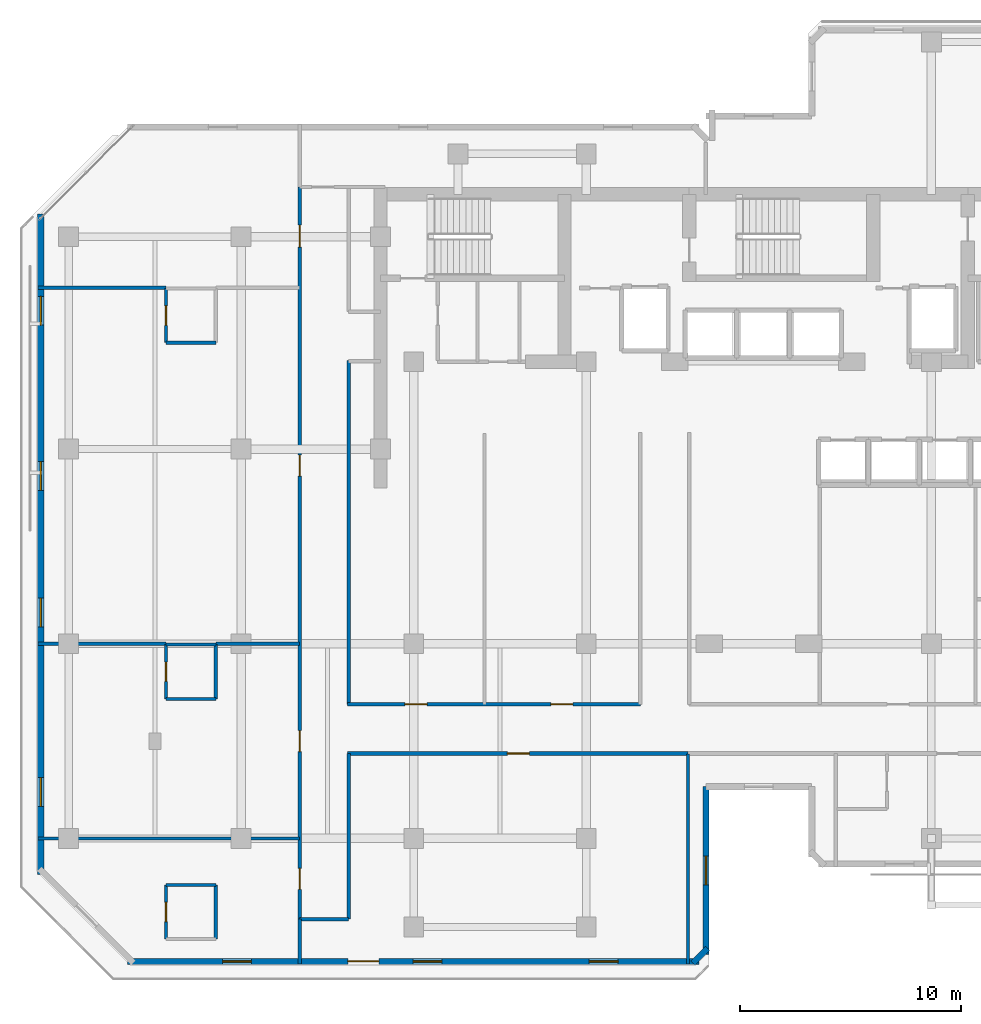
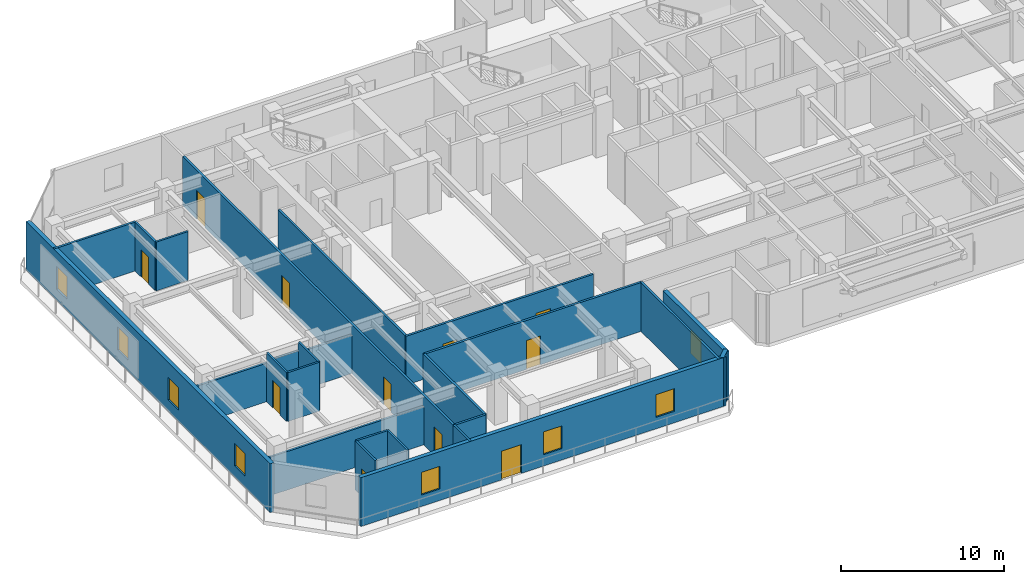
# One storey, part 4 of 10: 25 walls, 11 doors, 8 windows, 19 openings.
"""IFC4 building model written with IfcOpenShell, lengths in metres."""

from ifc_helpers import new_model, si_unit, direction, frame, frame_2d, origin, place, context, subcontext, project, spatial, rectangle, extrude, material, layer, layer_set, type_object, element, fill, save


model = new_model("IFC4")

# Units and contexts
model_context = context("Model", 3, precision=1e-05, world=origin(), true_north=direction((0.0, 1.0)))
body_context = subcontext(model_context, "Body", "Model", "MODEL_VIEW")
ifc_project = project(units=[si_unit("LENGTHUNIT", "METRE"), si_unit("AREAUNIT", "SQUARE_METRE"), si_unit("VOLUMEUNIT", "CUBIC_METRE"), si_unit("PLANEANGLEUNIT", "RADIAN"), si_unit("MASSUNIT", "GRAM", prefix="KILO")], contexts=[model_context])

# Site, building, storey
site_placement = place(None, origin())
site = spatial("IfcSite", under=ifc_project, at=site_placement, CompositionType="ELEMENT")
building_placement = place(site_placement, origin())
building = spatial("IfcBuilding", under=site, at=building_placement, Name="Kestravale Grand Hotel", CompositionType="ELEMENT")
storey_placement = place(building_placement, frame((0.0, 0.0, 189.0)))
storey = spatial("IfcBuildingStorey", under=building, at=storey_placement, Name="L47", CompositionType="ELEMENT", Elevation=189.0)

# Wall, openings, door, windows
ifc_material_1 = material(Name="Precast concrete f'c 45 MPa", Category="concrete")
ifc_layer_1 = layer(ifc_material_1, 0.280029296875)
ifc_layer_set_1 = layer_set([ifc_layer_1], Name="EW-PREC-280")
wall_type_1 = type_object("IfcWallType", Name="EW-PREC-280", PredefinedType="SOLIDWALL", material=ifc_layer_set_1)
wall_1_placement = place(storey_placement, frame((10.4599609375, 5.639892578125, 0.0), z_axis=(0.0, 0.0, 1.0), x_axis=(1.0, 0.0, 0.0)))
wall_1 = element("IfcWall", 1, at=wall_1_placement, inside=storey, type_object=wall_type_1, Name="L47 fluted precast facade wall 1", PredefinedType="SOLIDWALL", context=body_context, shape_type="SweptSolid", body=[
    extrude(rectangle(XDim=25.830078125, YDim=0.280029296875, at=frame_2d((12.9150390625, 0.0))), origin(), (0.0, 0.0, 1.0), 3.64990234375),
])
opening_1_placement = place(wall_1_placement, frame((9.965087890625, 0.0, 0.0)))
opening_1 = element("IfcOpeningElement", 2, at=opening_1_placement, cuts=wall_1, Name="Opening D-TERR-1400", PredefinedType="OPENING", context=body_context, shape_type="SweptSolid", body=[
    extrude(rectangle(XDim=1.39990234375, YDim=2.14990234375, at=frame_2d((0.699951171875, 1.074951171875))), frame((0.0, 0.14990234375, 0.0), z_axis=(0.0, -1.0, 0.0), x_axis=(1.0, 0.0, 0.0)), (0.0, 0.0, 1.0), 0.300048828125),
])
opening_2_placement = place(wall_1_placement, frame((4.304931640625, 0.0, 0.85009765625)))
opening_2 = element("IfcOpeningElement", 3, at=opening_2_placement, cuts=wall_1, Name="Opening W-GUEST-1300", PredefinedType="OPENING", context=body_context, shape_type="SweptSolid", body=[
    extrude(rectangle(XDim=1.300048828125, YDim=1.699951171875, at=frame_2d((0.64990234375, 0.85009765625))), frame((0.0, 0.14990234375, 0.0), z_axis=(0.0, -1.0, 0.0), x_axis=(1.0, 0.0, 0.0)), (0.0, 0.0, 1.0), 0.300048828125),
])
opening_3_placement = place(wall_1_placement, frame((12.9150390625, 0.0, 0.85009765625)))
opening_3 = element("IfcOpeningElement", 4, at=opening_3_placement, cuts=wall_1, Name="Opening W-GUEST-1300", PredefinedType="OPENING", context=body_context, shape_type="SweptSolid", body=[
    extrude(rectangle(XDim=1.300048828125, YDim=1.699951171875, at=frame_2d((0.64990234375, 0.85009765625))), frame((0.0, 0.14990234375, 0.0), z_axis=(0.0, -1.0, 0.0), x_axis=(1.0, 0.0, 0.0)), (0.0, 0.0, 1.0), 0.300048828125),
])
opening_4_placement = place(wall_1_placement, frame((20.875, 0.0, 0.85009765625)))
opening_4 = element("IfcOpeningElement", 5, at=opening_4_placement, cuts=wall_1, Name="Opening W-GUEST-1300", PredefinedType="OPENING", context=body_context, shape_type="SweptSolid", body=[
    extrude(rectangle(XDim=1.300048828125, YDim=1.699951171875, at=frame_2d((0.64990234375, 0.85009765625))), frame((0.0, 0.14990234375, 0.0), z_axis=(0.0, -1.0, 0.0), x_axis=(1.0, 0.0, 0.0)), (0.0, 0.0, 1.0), 0.300048828125),
])
ifc_material_2 = material(Name="Insulated glazed champagne-bronze aluminium door", Category="aluminium")
door_type_1 = type_object("IfcDoorType", Name="D-TERR-1400", OperationType="NOTDEFINED", PredefinedType="DOOR", material=ifc_material_2)
door_1_placement = place(opening_1_placement, origin())
door_1 = element("IfcDoor", 6, at=door_1_placement, inside=storey, type_object=door_type_1, Name="L47 outdoor garden terrace door", OperationType="DOUBLE_DOOR_SINGLE_SWING", OverallHeight=2.14990234375, OverallWidth=1.39990234375, PredefinedType="DOOR", context=body_context, shape_type="SweptSolid", body=[
    extrude(rectangle(XDim=1.39990234375, YDim=2.14990234375, at=frame_2d((0.699951171875, 1.074951171875))), frame((0.0, 0.02490234375, 0.0), z_axis=(0.0, -1.0, 0.0), x_axis=(1.0, 0.0, 0.0)), (0.0, 0.0, 1.0), 0.050048828125),
])
fill(opening_1, door_1)
ifc_material_3 = material(Name="Insulated low-E double glazing in aluminium frame", Category="aluminium")
window_type = type_object("IfcWindowType", Name="W-GUEST-1300", PartitioningType="SINGLE_PANEL", PredefinedType="WINDOW", material=ifc_material_3)
window_1_placement = place(opening_2_placement, origin())
window_1 = element("IfcWindow", 7, at=window_1_placement, inside=storey, type_object=window_type, Name="L47 exterior window 1.1", OverallHeight=1.699951171875, OverallWidth=1.300048828125, PartitioningType="SINGLE_PANEL", PredefinedType="WINDOW", context=body_context, shape_type="SweptSolid", body=[
    extrude(rectangle(XDim=1.300048828125, YDim=1.699951171875, at=frame_2d((0.64990234375, 0.85009765625))), frame((0.0, 0.030029296875, 0.0), z_axis=(0.0, -1.0, 0.0), x_axis=(1.0, 0.0, 0.0)), (0.0, 0.0, 1.0), 0.06005859375),
])
fill(opening_2, window_1)
window_2_placement = place(opening_3_placement, origin())
window_2 = element("IfcWindow", 8, at=window_2_placement, inside=storey, type_object=window_type, Name="L47 exterior window 1.2", OverallHeight=1.699951171875, OverallWidth=1.300048828125, PartitioningType="SINGLE_PANEL", PredefinedType="WINDOW", context=body_context, shape_type="SweptSolid", body=[
    extrude(rectangle(XDim=1.300048828125, YDim=1.699951171875, at=frame_2d((0.64990234375, 0.85009765625))), frame((0.0, 0.030029296875, 0.0), z_axis=(0.0, -1.0, 0.0), x_axis=(1.0, 0.0, 0.0)), (0.0, 0.0, 1.0), 0.06005859375),
])
fill(opening_3, window_2)
window_3_placement = place(opening_4_placement, origin())
window_3 = element("IfcWindow", 9, at=window_3_placement, inside=storey, type_object=window_type, Name="L47 exterior window 1.3", OverallHeight=1.699951171875, OverallWidth=1.300048828125, PartitioningType="SINGLE_PANEL", PredefinedType="WINDOW", context=body_context, shape_type="SweptSolid", body=[
    extrude(rectangle(XDim=1.300048828125, YDim=1.699951171875, at=frame_2d((0.64990234375, 0.85009765625))), frame((0.0, 0.030029296875, 0.0), z_axis=(0.0, -1.0, 0.0), x_axis=(1.0, 0.0, 0.0)), (0.0, 0.0, 1.0), 0.06005859375),
])
fill(opening_4, window_3)

# Wall
wall_2_placement = place(storey_placement, frame((36.022705078125, 5.57080078125, 0.0), z_axis=(0.0, 0.0, 1.0), x_axis=(0.707106781187, 0.707106781187, 0.0)))
element("IfcWall", 10, at=wall_2_placement, inside=storey, type_object=wall_type_1, Name="L47 fluted precast facade wall 2", PredefinedType="SOLIDWALL", context=body_context, shape_type="SweptSolid", body=[
    extrude(rectangle(XDim=0.928466796875, YDim=0.280029296875, at=frame_2d((0.46435546875, 0.0))), origin(), (0.0, 0.0, 1.0), 3.64990234375),
])

# Wall, opening, window
wall_3_placement = place(storey_placement, frame((36.610107421875, 5.9599609375, 0.0), z_axis=(0.0, 0.0, 1.0), x_axis=(0.0, 1.0, 0.0)))
wall_3 = element("IfcWall", 11, at=wall_3_placement, inside=storey, type_object=wall_type_1, Name="L47 fluted precast facade wall 3", PredefinedType="SOLIDWALL", context=body_context, shape_type="SweptSolid", body=[
    extrude(rectangle(XDim=7.580078125, YDim=0.280029296875, at=frame_2d((3.7900390625, 0.0))), origin(), (0.0, 0.0, 1.0), 3.64990234375),
])
opening_5_placement = place(wall_3_placement, frame((3.139892578125, 0.0, 0.85009765625)))
opening_5 = element("IfcOpeningElement", 12, at=opening_5_placement, cuts=wall_3, Name="Opening W-GUEST-1300", PredefinedType="OPENING", context=body_context, shape_type="SweptSolid", body=[
    extrude(rectangle(XDim=1.300048828125, YDim=1.699951171875, at=frame_2d((0.64990234375, 0.85009765625))), frame((0.0, 0.14990234375, 0.0), z_axis=(0.0, -1.0, 0.0), x_axis=(1.0, 0.0, 0.0)), (0.0, 0.0, 1.0), 0.300048828125),
])
window_4_placement = place(opening_5_placement, origin())
window_4 = element("IfcWindow", 13, at=window_4_placement, inside=storey, type_object=window_type, Name="L47 exterior window 3.1", OverallHeight=1.699951171875, OverallWidth=1.300048828125, PartitioningType="SINGLE_PANEL", PredefinedType="WINDOW", context=body_context, shape_type="SweptSolid", body=[
    extrude(rectangle(XDim=1.300048828125, YDim=1.699951171875, at=frame_2d((0.64990234375, 0.85009765625))), frame((0.0, 0.030029296875, 0.0), z_axis=(0.0, -1.0, 0.0), x_axis=(1.0, 0.0, 0.0)), (0.0, 0.0, 1.0), 0.06005859375),
])
fill(opening_5, window_4)

# Wall, openings, windows
wall_4_placement = place(storey_placement, frame((6.5400390625, 39.43994140625, 0.0), z_axis=(0.0, 0.0, 1.0), x_axis=(0.0, -1.0, 0.0)))
wall_4 = element("IfcWall", 14, at=wall_4_placement, inside=storey, type_object=wall_type_1, Name="L47 fluted precast facade wall 19", PredefinedType="SOLIDWALL", context=body_context, shape_type="SweptSolid", body=[
    extrude(rectangle(XDim=29.8798828125, YDim=0.280029296875, at=frame_2d((14.93994140625, 0.0))), origin(), (0.0, 0.0, 1.0), 3.64990234375),
])
opening_6_placement = place(wall_4_placement, frame((3.735107421875, 0.0, 0.85009765625)))
opening_6 = element("IfcOpeningElement", 15, at=opening_6_placement, cuts=wall_4, Name="Opening W-GUEST-1300", PredefinedType="OPENING", context=body_context, shape_type="SweptSolid", body=[
    extrude(rectangle(XDim=1.300048828125, YDim=1.699951171875, at=frame_2d((0.64990234375, 0.85009765625))), frame((0.0, 0.14990234375, 0.0), z_axis=(0.0, -1.0, 0.0), x_axis=(1.0, 0.0, 0.0)), (0.0, 0.0, 1.0), 0.300048828125),
])
opening_7_placement = place(wall_4_placement, frame((11.205078125, 0.0, 0.85009765625)))
opening_7 = element("IfcOpeningElement", 16, at=opening_7_placement, cuts=wall_4, Name="Opening W-GUEST-1300", PredefinedType="OPENING", context=body_context, shape_type="SweptSolid", body=[
    extrude(rectangle(XDim=1.300048828125, YDim=1.699951171875, at=frame_2d((0.64990234375, 0.85009765625))), frame((0.0, 0.14990234375, 0.0), z_axis=(0.0, -1.0, 0.0), x_axis=(1.0, 0.0, 0.0)), (0.0, 0.0, 1.0), 0.300048828125),
])
opening_8_placement = place(wall_4_placement, frame((17.375, 0.0, 0.85009765625)))
opening_8 = element("IfcOpeningElement", 17, at=opening_8_placement, cuts=wall_4, Name="Opening W-GUEST-1300", PredefinedType="OPENING", context=body_context, shape_type="SweptSolid", body=[
    extrude(rectangle(XDim=1.300048828125, YDim=1.699951171875, at=frame_2d((0.64990234375, 0.85009765625))), frame((0.0, 0.14990234375, 0.0), z_axis=(0.0, -1.0, 0.0), x_axis=(1.0, 0.0, 0.0)), (0.0, 0.0, 1.0), 0.300048828125),
])
opening_9_placement = place(wall_4_placement, frame((25.4951171875, 0.0, 0.85009765625)))
opening_9 = element("IfcOpeningElement", 18, at=opening_9_placement, cuts=wall_4, Name="Opening W-GUEST-1300", PredefinedType="OPENING", context=body_context, shape_type="SweptSolid", body=[
    extrude(rectangle(XDim=1.300048828125, YDim=1.699951171875, at=frame_2d((0.64990234375, 0.85009765625))), frame((0.0, 0.14990234375, 0.0), z_axis=(0.0, -1.0, 0.0), x_axis=(1.0, 0.0, 0.0)), (0.0, 0.0, 1.0), 0.300048828125),
])
window_5_placement = place(opening_6_placement, origin())
window_5 = element("IfcWindow", 19, at=window_5_placement, inside=storey, type_object=window_type, Name="L47 exterior window 19.1", OverallHeight=1.699951171875, OverallWidth=1.300048828125, PartitioningType="SINGLE_PANEL", PredefinedType="WINDOW", context=body_context, shape_type="SweptSolid", body=[
    extrude(rectangle(XDim=1.300048828125, YDim=1.699951171875, at=frame_2d((0.64990234375, 0.85009765625))), frame((0.0, 0.030029296875, 0.0), z_axis=(0.0, -1.0, 0.0), x_axis=(1.0, 0.0, 0.0)), (0.0, 0.0, 1.0), 0.06005859375),
])
fill(opening_6, window_5)
window_6_placement = place(opening_7_placement, origin())
window_6 = element("IfcWindow", 20, at=window_6_placement, inside=storey, type_object=window_type, Name="L47 exterior window 19.2", OverallHeight=1.699951171875, OverallWidth=1.300048828125, PartitioningType="SINGLE_PANEL", PredefinedType="WINDOW", context=body_context, shape_type="SweptSolid", body=[
    extrude(rectangle(XDim=1.300048828125, YDim=1.699951171875, at=frame_2d((0.64990234375, 0.85009765625))), frame((0.0, 0.030029296875, 0.0), z_axis=(0.0, -1.0, 0.0), x_axis=(1.0, 0.0, 0.0)), (0.0, 0.0, 1.0), 0.06005859375),
])
fill(opening_7, window_6)
window_7_placement = place(opening_8_placement, origin())
window_7 = element("IfcWindow", 21, at=window_7_placement, inside=storey, type_object=window_type, Name="L47 exterior window 19.3", OverallHeight=1.699951171875, OverallWidth=1.300048828125, PartitioningType="SINGLE_PANEL", PredefinedType="WINDOW", context=body_context, shape_type="SweptSolid", body=[
    extrude(rectangle(XDim=1.300048828125, YDim=1.699951171875, at=frame_2d((0.64990234375, 0.85009765625))), frame((0.0, 0.030029296875, 0.0), z_axis=(0.0, -1.0, 0.0), x_axis=(1.0, 0.0, 0.0)), (0.0, 0.0, 1.0), 0.06005859375),
])
fill(opening_8, window_7)
window_8_placement = place(opening_9_placement, origin())
window_8 = element("IfcWindow", 22, at=window_8_placement, inside=storey, type_object=window_type, Name="L47 exterior window 19.4", OverallHeight=1.699951171875, OverallWidth=1.300048828125, PartitioningType="SINGLE_PANEL", PredefinedType="WINDOW", context=body_context, shape_type="SweptSolid", body=[
    extrude(rectangle(XDim=1.300048828125, YDim=1.699951171875, at=frame_2d((0.64990234375, 0.85009765625))), frame((0.0, 0.030029296875, 0.0), z_axis=(0.0, -1.0, 0.0), x_axis=(1.0, 0.0, 0.0)), (0.0, 0.0, 1.0), 0.06005859375),
])
fill(opening_9, window_8)

# Wall, openings, doors
ifc_material_4 = material(Name="Acoustic fire-rated gypsum board partition", Category="other")
ifc_layer_2 = layer(ifc_material_4, 0.159912109375)
ifc_layer_set_2 = layer_set([ifc_layer_2], Name="IW-CORR-160")
wall_type_2 = type_object("IfcWallType", Name="IW-CORR-160", PredefinedType="PARTITIONING", material=ifc_layer_set_2)
wall_5_placement = place(storey_placement, frame((20.39990234375, 17.260009765625, 0.0), z_axis=(0.0, 0.0, 1.0), x_axis=(1.0, 0.0, 0.0)))
wall_5 = element("IfcWall", 23, at=wall_5_placement, inside=storey, type_object=wall_type_2, Name="W-L47-CW-N", PredefinedType="PARTITIONING", context=body_context, shape_type="SweptSolid", body=[
    extrude(rectangle(XDim=13.25, YDim=0.159912109375, at=frame_2d((6.625, 0.0))), origin(), (0.0, 0.0, 1.0), 3.64990234375),
])
opening_10_placement = place(wall_5_placement, frame((2.60009765625, 0.0, 0.0)))
opening_10 = element("IfcOpeningElement", 24, at=opening_10_placement, cuts=wall_5, Name="Opening D-GUEST-1000", PredefinedType="OPENING", context=body_context, shape_type="SweptSolid", body=[
    extrude(rectangle(XDim=1.0, YDim=2.14990234375, at=frame_2d((0.5, 1.074951171875))), frame((0.0, 0.08984375, 0.0), z_axis=(0.0, -1.0, 0.0), x_axis=(1.0, 0.0, 0.0)), (0.0, 0.0, 1.0), 0.179931640625),
])
opening_11_placement = place(wall_5_placement, frame((9.199951171875, 0.0, 0.0)))
opening_11 = element("IfcOpeningElement", 25, at=opening_11_placement, cuts=wall_5, Name="Opening D-GUEST-1000", PredefinedType="OPENING", context=body_context, shape_type="SweptSolid", body=[
    extrude(rectangle(XDim=1.0, YDim=2.14990234375, at=frame_2d((0.5, 1.074951171875))), frame((0.0, 0.08984375, 0.0), z_axis=(0.0, -1.0, 0.0), x_axis=(1.0, 0.0, 0.0)), (0.0, 0.0, 1.0), 0.179931640625),
])
ifc_material_5 = material(Name="Accessible walnut veneer hotel entrance fire door", Category="wood")
door_type_2 = type_object("IfcDoorType", Name="D-GUEST-1000", OperationType="NOTDEFINED", PredefinedType="DOOR", material=ifc_material_5)
door_2_placement = place(opening_10_placement, origin())
door_2 = element("IfcDoor", 26, at=door_2_placement, inside=storey, type_object=door_type_2, Name="D-L47-RECL-W1", OperationType="SINGLE_SWING_LEFT", OverallHeight=2.14990234375, OverallWidth=1.0, PredefinedType="DOOR", context=body_context, shape_type="SweptSolid", body=[
    extrude(rectangle(XDim=1.0, YDim=2.14990234375, at=frame_2d((0.5, 1.074951171875))), frame((0.0, 0.02490234375, 0.0), z_axis=(0.0, -1.0, 0.0), x_axis=(1.0, 0.0, 0.0)), (0.0, 0.0, 1.0), 0.050048828125),
])
fill(opening_10, door_2)
door_3_placement = place(opening_11_placement, origin())
door_3 = element("IfcDoor", 27, at=door_3_placement, inside=storey, type_object=door_type_2, Name="D-L47-RECL-W2", OperationType="SINGLE_SWING_RIGHT", OverallHeight=2.14990234375, OverallWidth=1.0, PredefinedType="DOOR", context=body_context, shape_type="SweptSolid", body=[
    extrude(rectangle(XDim=1.0, YDim=2.14990234375, at=frame_2d((0.5, 1.074951171875))), frame((0.0, 0.02490234375, 0.0), z_axis=(0.0, -1.0, 0.0), x_axis=(1.0, 0.0, 0.0)), (0.0, 0.0, 1.0), 0.050048828125),
])
fill(opening_11, door_3)

# Wall, opening, door
wall_6_placement = place(storey_placement, frame((20.39990234375, 15.0400390625, 0.0), z_axis=(0.0, 0.0, 1.0), x_axis=(1.0, 0.0, 0.0)))
wall_6 = element("IfcWall", 28, at=wall_6_placement, inside=storey, type_object=wall_type_2, Name="W-L47-CW-S", PredefinedType="PARTITIONING", context=body_context, shape_type="SweptSolid", body=[
    extrude(rectangle(XDim=15.400146484375, YDim=0.159912109375, at=frame_2d((7.7001953125, 0.0))), origin(), (0.0, 0.0, 1.0), 3.64990234375),
])
opening_12_placement = place(wall_6_placement, frame((7.22998046875, 0.0, 0.0)))
opening_12 = element("IfcOpeningElement", 29, at=opening_12_placement, cuts=wall_6, Name="Opening D-GUEST-1000", PredefinedType="OPENING", context=body_context, shape_type="SweptSolid", body=[
    extrude(rectangle(XDim=1.0, YDim=2.14990234375, at=frame_2d((0.5, 1.074951171875))), frame((0.0, 0.08984375, 0.0), z_axis=(0.0, -1.0, 0.0), x_axis=(1.0, 0.0, 0.0)), (0.0, 0.0, 1.0), 0.179931640625),
])
door_4_placement = place(opening_12_placement, origin())
door_4 = element("IfcDoor", 30, at=door_4_placement, inside=storey, type_object=door_type_2, Name="D-L47-AMW", OperationType="SINGLE_SWING_LEFT", OverallHeight=2.14990234375, OverallWidth=1.0, PredefinedType="DOOR", context=body_context, shape_type="SweptSolid", body=[
    extrude(rectangle(XDim=1.0, YDim=2.14990234375, at=frame_2d((0.5, 1.074951171875))), frame((0.0, 0.02490234375, 0.0), z_axis=(0.0, -1.0, 0.0), x_axis=(1.0, 0.0, 0.0)), (0.0, 0.0, 1.0), 0.050048828125),
])
fill(opening_12, door_4)

# Wall, openings, doors
wall_7_placement = place(storey_placement, frame((18.239990234375, 7.550048828125, 0.0), z_axis=(0.0, 0.0, 1.0), x_axis=(0.0, 1.0, 0.0)))
wall_7 = element("IfcWall", 31, at=wall_7_placement, inside=storey, type_object=wall_type_2, Name="W-L47-SW-W", PredefinedType="PARTITIONING", context=body_context, shape_type="SweptSolid", body=[
    extrude(rectangle(XDim=33.099853515625, YDim=0.159912109375, at=frame_2d((16.5498046875, 0.0))), origin(), (0.0, 0.0, 1.0), 3.64990234375),
])
opening_13_placement = place(wall_7_placement, frame((1.35009765625, 0.0, 0.0)))
opening_13 = element("IfcOpeningElement", 32, at=opening_13_placement, cuts=wall_7, Name="Opening D-GUEST-950", PredefinedType="OPENING", context=body_context, shape_type="SweptSolid", body=[
    extrude(rectangle(XDim=0.949951171875, YDim=2.10009765625, at=frame_2d((0.47509765625, 1.050048828125))), frame((0.0, 0.08984375, 0.0), z_axis=(0.0, -1.0, 0.0), x_axis=(1.0, 0.0, 0.0)), (0.0, 0.0, 1.0), 0.179931640625),
])
opening_14_placement = place(wall_7_placement, frame((7.574951171875, 0.0, 0.0)))
opening_14 = element("IfcOpeningElement", 33, at=opening_14_placement, cuts=wall_7, Name="Opening D-GUEST-950", PredefinedType="OPENING", context=body_context, shape_type="SweptSolid", body=[
    extrude(rectangle(XDim=0.949951171875, YDim=2.10009765625, at=frame_2d((0.47509765625, 1.050048828125))), frame((0.0, 0.08984375, 0.0), z_axis=(0.0, -1.0, 0.0), x_axis=(1.0, 0.0, 0.0)), (0.0, 0.0, 1.0), 0.179931640625),
])
opening_15_placement = place(wall_7_placement, frame((20.02490234375, 0.0, 0.0)))
opening_15 = element("IfcOpeningElement", 34, at=opening_15_placement, cuts=wall_7, Name="Opening D-GUEST-950", PredefinedType="OPENING", context=body_context, shape_type="SweptSolid", body=[
    extrude(rectangle(XDim=0.949951171875, YDim=2.10009765625, at=frame_2d((0.47509765625, 1.050048828125))), frame((0.0, 0.08984375, 0.0), z_axis=(0.0, -1.0, 0.0), x_axis=(1.0, 0.0, 0.0)), (0.0, 0.0, 1.0), 0.179931640625),
])
opening_16_placement = place(wall_7_placement, frame((30.3798828125, 0.0, 0.0)))
opening_16 = element("IfcOpeningElement", 35, at=opening_16_placement, cuts=wall_7, Name="Opening D-GUEST-1000", PredefinedType="OPENING", context=body_context, shape_type="SweptSolid", body=[
    extrude(rectangle(XDim=1.0, YDim=2.14990234375, at=frame_2d((0.5, 1.074951171875))), frame((0.0, 0.08984375, 0.0), z_axis=(0.0, -1.0, 0.0), x_axis=(1.0, 0.0, 0.0)), (0.0, 0.0, 1.0), 0.179931640625),
])
door_5_placement = place(opening_16_placement, origin())
door_5 = element("IfcDoor", 36, at=door_5_placement, inside=storey, type_object=door_type_2, Name="D-L47-AMWW", OperationType="SINGLE_SWING_LEFT", OverallHeight=2.14990234375, OverallWidth=1.0, PredefinedType="DOOR", context=body_context, shape_type="SweptSolid", body=[
    extrude(rectangle(XDim=1.0, YDim=2.14990234375, at=frame_2d((0.5, 1.074951171875))), frame((0.0, 0.02490234375, 0.0), z_axis=(0.0, -1.0, 0.0), x_axis=(1.0, 0.0, 0.0)), (0.0, 0.0, 1.0), 0.050048828125),
])
fill(opening_16, door_5)
ifc_material_6 = material(Name="Walnut veneer hotel guestroom entrance fire door", Category="wood")
door_type_3 = type_object("IfcDoorType", Name="D-GUEST-950", OperationType="NOTDEFINED", PredefinedType="DOOR", material=ifc_material_6)
door_6_placement = place(opening_13_placement, origin())
door_6 = element("IfcDoor", 37, at=door_6_placement, inside=storey, type_object=door_type_3, Name="D-L47-U02-ENT", OperationType="SINGLE_SWING_RIGHT", OverallHeight=2.10009765625, OverallWidth=0.949951171875, PredefinedType="DOOR", context=body_context, shape_type="SweptSolid", body=[
    extrude(rectangle(XDim=0.949951171875, YDim=2.10009765625, at=frame_2d((0.47509765625, 1.050048828125))), frame((0.0, 0.02490234375, 0.0), z_axis=(0.0, -1.0, 0.0), x_axis=(1.0, 0.0, 0.0)), (0.0, 0.0, 1.0), 0.050048828125),
])
fill(opening_13, door_6)
door_7_placement = place(opening_14_placement, origin())
door_7 = element("IfcDoor", 38, at=door_7_placement, inside=storey, type_object=door_type_3, Name="D-L47-U03-ENT", OperationType="SINGLE_SWING_RIGHT", OverallHeight=2.10009765625, OverallWidth=0.949951171875, PredefinedType="DOOR", context=body_context, shape_type="SweptSolid", body=[
    extrude(rectangle(XDim=0.949951171875, YDim=2.10009765625, at=frame_2d((0.47509765625, 1.050048828125))), frame((0.0, 0.02490234375, 0.0), z_axis=(0.0, -1.0, 0.0), x_axis=(1.0, 0.0, 0.0)), (0.0, 0.0, 1.0), 0.050048828125),
])
fill(opening_14, door_7)
door_8_placement = place(opening_15_placement, origin())
door_8 = element("IfcDoor", 39, at=door_8_placement, inside=storey, type_object=door_type_3, Name="D-L47-U04-ENT", OperationType="SINGLE_SWING_RIGHT", OverallHeight=2.10009765625, OverallWidth=0.949951171875, PredefinedType="DOOR", context=body_context, shape_type="SweptSolid", body=[
    extrude(rectangle(XDim=0.949951171875, YDim=2.10009765625, at=frame_2d((0.47509765625, 1.050048828125))), frame((0.0, 0.02490234375, 0.0), z_axis=(0.0, -1.0, 0.0), x_axis=(1.0, 0.0, 0.0)), (0.0, 0.0, 1.0), 0.050048828125),
])
fill(opening_15, door_8)

# Wall
wall_8_placement = place(storey_placement, frame((20.4599609375, 7.550048828125, 0.0), z_axis=(0.0, 0.0, 1.0), x_axis=(0.0, 1.0, 0.0)))
element("IfcWall", 40, at=wall_8_placement, inside=storey, type_object=wall_type_2, Name="W-L47-SW-E", PredefinedType="PARTITIONING", context=body_context, shape_type="SweptSolid", body=[
    extrude(rectangle(XDim=7.489990234375, YDim=0.159912109375, at=frame_2d((3.7451171875, 0.0))), origin(), (0.0, 0.0, 1.0), 3.64990234375),
])

# Wall, opening, door
ifc_material_7 = material(Name="Moisture-resistant tile-backer plumbing chase wall", Category="other")
ifc_layer_3 = layer(ifc_material_7, 0.139892578125)
ifc_layer_set_3 = layer_set([ifc_layer_3], Name="IW-PLB-140")
wall_type_3 = type_object("IfcWallType", Name="IW-PLB-140", PredefinedType="PLUMBINGWALL", material=ifc_layer_set_3)
wall_9_placement = place(storey_placement, frame((12.199951171875, 6.64990234375, 0.0), z_axis=(0.0, 0.0, 1.0), x_axis=(0.0, 1.0, 0.0)))
wall_9 = element("IfcWall", 41, at=wall_9_placement, inside=storey, type_object=wall_type_3, Name="W-L47-U02-BW", PredefinedType="PLUMBINGWALL", context=body_context, shape_type="SweptSolid", body=[
    extrude(rectangle(XDim=2.4501953125, YDim=0.139892578125, at=frame_2d((1.22509765625, 0.0))), origin(), (0.0, 0.0, 1.0), 3.64990234375),
])
opening_17_placement = place(wall_9_placement, frame((0.784912109375, 0.0, 0.0)))
opening_17 = element("IfcOpeningElement", 42, at=opening_17_placement, cuts=wall_9, Name="Opening D-BATH-880", PredefinedType="OPENING", context=body_context, shape_type="SweptSolid", body=[
    extrude(rectangle(XDim=0.8798828125, YDim=2.050048828125, at=frame_2d((0.43994140625, 1.02490234375))), frame((0.0, 0.079833984375, 0.0), z_axis=(0.0, -1.0, 0.0), x_axis=(1.0, 0.0, 0.0)), (0.0, 0.0, 1.0), 0.159912109375),
])
ifc_material_8 = material(Name="Moisture-sealed walnut en-suite bathroom door", Category="wood")
door_type_4 = type_object("IfcDoorType", Name="D-BATH-880", OperationType="NOTDEFINED", PredefinedType="DOOR", material=ifc_material_8)
door_9_placement = place(opening_17_placement, origin())
door_9 = element("IfcDoor", 43, at=door_9_placement, inside=storey, type_object=door_type_4, Name="D-L47-U02-BATH", OperationType="SINGLE_SWING_LEFT", OverallHeight=2.050048828125, OverallWidth=0.8798828125, PredefinedType="DOOR", context=body_context, shape_type="SweptSolid", body=[
    extrude(rectangle(XDim=0.8798828125, YDim=2.050048828125, at=frame_2d((0.43994140625, 1.02490234375))), frame((0.0, 0.02490234375, 0.0), z_axis=(0.0, -1.0, 0.0), x_axis=(1.0, 0.0, 0.0)), (0.0, 0.0, 1.0), 0.050048828125),
])
fill(opening_17, door_9)

# Walls
wall_10_placement = place(storey_placement, frame((14.449951171875, 6.64990234375, 0.0), z_axis=(0.0, 0.0, 1.0), x_axis=(0.0, 1.0, 0.0)))
element("IfcWall", 44, at=wall_10_placement, inside=storey, type_object=wall_type_3, Name="W-L47-U02-BE", PredefinedType="PLUMBINGWALL", context=body_context, shape_type="SweptSolid", body=[
    extrude(rectangle(XDim=2.4501953125, YDim=0.139892578125, at=frame_2d((1.22509765625, 0.0))), origin(), (0.0, 0.0, 1.0), 3.64990234375),
])
wall_11_placement = place(storey_placement, frame((12.199951171875, 9.10009765625, 0.0), z_axis=(0.0, 0.0, 1.0), x_axis=(1.0, 0.0, 0.0)))
element("IfcWall", 45, at=wall_11_placement, inside=storey, type_object=wall_type_3, Name="W-L47-U02-BN", PredefinedType="PLUMBINGWALL", context=body_context, shape_type="SweptSolid", body=[
    extrude(rectangle(XDim=2.25, YDim=0.139892578125, at=frame_2d((1.125, 0.0))), origin(), (0.0, 0.0, 1.0), 3.64990234375),
])

# Wall, opening, door
wall_12_placement = place(storey_placement, frame((12.199951171875, 17.510009765625, 0.0), z_axis=(0.0, 0.0, 1.0), x_axis=(0.0, 1.0, 0.0)))
wall_12 = element("IfcWall", 46, at=wall_12_placement, inside=storey, type_object=wall_type_3, Name="W-L47-U03-BW", PredefinedType="PLUMBINGWALL", context=body_context, shape_type="SweptSolid", body=[
    extrude(rectangle(XDim=2.449951171875, YDim=0.139892578125, at=frame_2d((1.22509765625, 0.0))), origin(), (0.0, 0.0, 1.0), 3.64990234375),
])
opening_18_placement = place(wall_12_placement, frame((0.784912109375, 0.0, 0.0)))
opening_18 = element("IfcOpeningElement", 47, at=opening_18_placement, cuts=wall_12, Name="Opening D-BATH-880", PredefinedType="OPENING", context=body_context, shape_type="SweptSolid", body=[
    extrude(rectangle(XDim=0.8798828125, YDim=2.050048828125, at=frame_2d((0.43994140625, 1.02490234375))), frame((0.0, 0.079833984375, 0.0), z_axis=(0.0, -1.0, 0.0), x_axis=(1.0, 0.0, 0.0)), (0.0, 0.0, 1.0), 0.159912109375),
])
door_10_placement = place(opening_18_placement, origin())
door_10 = element("IfcDoor", 48, at=door_10_placement, inside=storey, type_object=door_type_4, Name="D-L47-U03-BATH", OperationType="SINGLE_SWING_LEFT", OverallHeight=2.050048828125, OverallWidth=0.8798828125, PredefinedType="DOOR", context=body_context, shape_type="SweptSolid", body=[
    extrude(rectangle(XDim=0.8798828125, YDim=2.050048828125, at=frame_2d((0.43994140625, 1.02490234375))), frame((0.0, 0.02490234375, 0.0), z_axis=(0.0, -1.0, 0.0), x_axis=(1.0, 0.0, 0.0)), (0.0, 0.0, 1.0), 0.050048828125),
])
fill(opening_18, door_10)

# Walls
wall_13_placement = place(storey_placement, frame((14.449951171875, 17.510009765625, 0.0), z_axis=(0.0, 0.0, 1.0), x_axis=(0.0, 1.0, 0.0)))
element("IfcWall", 49, at=wall_13_placement, inside=storey, type_object=wall_type_3, Name="W-L47-U03-BE", PredefinedType="PLUMBINGWALL", context=body_context, shape_type="SweptSolid", body=[
    extrude(rectangle(XDim=2.449951171875, YDim=0.139892578125, at=frame_2d((1.22509765625, 0.0))), origin(), (0.0, 0.0, 1.0), 3.64990234375),
])
wall_14_placement = place(storey_placement, frame((12.199951171875, 17.510009765625, 0.0), z_axis=(0.0, 0.0, 1.0), x_axis=(1.0, 0.0, 0.0)))
element("IfcWall", 50, at=wall_14_placement, inside=storey, type_object=wall_type_3, Name="W-L47-U03-BS", PredefinedType="PLUMBINGWALL", context=body_context, shape_type="SweptSolid", body=[
    extrude(rectangle(XDim=2.25, YDim=0.139892578125, at=frame_2d((1.125, 0.0))), origin(), (0.0, 0.0, 1.0), 3.64990234375),
])
wall_15_placement = place(storey_placement, frame((12.199951171875, 19.9599609375, 0.0), z_axis=(0.0, 0.0, 1.0), x_axis=(1.0, 0.0, 0.0)))
element("IfcWall", 51, at=wall_15_placement, inside=storey, type_object=wall_type_3, Name="W-L47-U03-BN", PredefinedType="PLUMBINGWALL", context=body_context, shape_type="SweptSolid", body=[
    extrude(rectangle(XDim=2.25, YDim=0.139892578125, at=frame_2d((1.125, 0.0))), origin(), (0.0, 0.0, 1.0), 3.0380859375),
])

# Wall, opening, door
wall_16_placement = place(storey_placement, frame((12.199951171875, 33.610107421875, 0.0), z_axis=(0.0, 0.0, 1.0), x_axis=(0.0, 1.0, 0.0)))
wall_16 = element("IfcWall", 52, at=wall_16_placement, inside=storey, type_object=wall_type_3, Name="W-L47-U04-BW", PredefinedType="PLUMBINGWALL", context=body_context, shape_type="SweptSolid", body=[
    extrude(rectangle(XDim=2.449951171875, YDim=0.139892578125, at=frame_2d((1.22509765625, 0.0))), origin(), (0.0, 0.0, 1.0), 3.64990234375),
])
opening_19_placement = place(wall_16_placement, frame((0.784912109375, 0.0, 0.0)))
opening_19 = element("IfcOpeningElement", 53, at=opening_19_placement, cuts=wall_16, Name="Opening D-BATH-880", PredefinedType="OPENING", context=body_context, shape_type="SweptSolid", body=[
    extrude(rectangle(XDim=0.8798828125, YDim=2.050048828125, at=frame_2d((0.43994140625, 1.02490234375))), frame((0.0, 0.079833984375, 0.0), z_axis=(0.0, -1.0, 0.0), x_axis=(1.0, 0.0, 0.0)), (0.0, 0.0, 1.0), 0.159912109375),
])
door_11_placement = place(opening_19_placement, origin())
door_11 = element("IfcDoor", 54, at=door_11_placement, inside=storey, type_object=door_type_4, Name="D-L47-U04-BATH", OperationType="SINGLE_SWING_LEFT", OverallHeight=2.050048828125, OverallWidth=0.8798828125, PredefinedType="DOOR", context=body_context, shape_type="SweptSolid", body=[
    extrude(rectangle(XDim=0.8798828125, YDim=2.050048828125, at=frame_2d((0.43994140625, 1.02490234375))), frame((0.0, 0.02490234375, 0.0), z_axis=(0.0, -1.0, 0.0), x_axis=(1.0, 0.0, 0.0)), (0.0, 0.0, 1.0), 0.050048828125),
])
fill(opening_19, door_11)

# Walls
wall_17_placement = place(storey_placement, frame((12.199951171875, 33.610107421875, 0.0), z_axis=(0.0, 0.0, 1.0), x_axis=(1.0, 0.0, 0.0)))
element("IfcWall", 55, at=wall_17_placement, inside=storey, type_object=wall_type_3, Name="W-L47-U04-BS", PredefinedType="PLUMBINGWALL", context=body_context, shape_type="SweptSolid", body=[
    extrude(rectangle(XDim=2.25, YDim=0.139892578125, at=frame_2d((1.125, 0.0))), origin(), (0.0, 0.0, 1.0), 3.64990234375),
])
ifc_material_9 = material(Name="Double-stud STC 52 acoustic demising partition", Category="other")
ifc_layer_4 = layer(ifc_material_9, 0.14990234375)
ifc_layer_set_4 = layer_set([ifc_layer_4], Name="IW-UNIT-150")
wall_type_4 = type_object("IfcWallType", Name="IW-UNIT-150", PredefinedType="PARTITIONING", material=ifc_layer_set_4)
wall_18_placement = place(storey_placement, frame((18.239990234375, 7.550048828125, 0.0), z_axis=(0.0, 0.0, 1.0), x_axis=(1.0, 0.0, 0.0)))
element("IfcWall", 56, at=wall_18_placement, inside=storey, type_object=wall_type_4, Name="W-L47-SW-S", PredefinedType="PARTITIONING", context=body_context, shape_type="SweptSolid", body=[
    extrude(rectangle(XDim=2.219970703125, YDim=0.14990234375, at=frame_2d((1.10986328125, 0.0))), origin(), (0.0, 0.0, 1.0), 3.64990234375),
])
wall_19_placement = place(storey_placement, frame((20.4599609375, 17.260009765625, 0.0), z_axis=(0.0, 0.0, 1.0), x_axis=(0.0, 1.0, 0.0)))
element("IfcWall", 57, at=wall_19_placement, inside=storey, type_object=wall_type_4, Name="W-L47-RCLW-W", PredefinedType="PARTITIONING", context=body_context, shape_type="SweptSolid", body=[
    extrude(rectangle(XDim=15.5400390625, YDim=0.14990234375, at=frame_2d((7.77001953125, 0.0))), origin(), (0.0, 0.0, 1.0), 3.64990234375),
])
wall_20_placement = place(storey_placement, frame((35.800048828125, 5.52001953125, 0.0), z_axis=(0.0, 0.0, 1.0), x_axis=(0.0, 1.0, 0.0)))
element("IfcWall", 58, at=wall_20_placement, inside=storey, type_object=wall_type_4, Name="W-L47-MID-S", PredefinedType="PARTITIONING", context=body_context, shape_type="SweptSolid", body=[
    extrude(rectangle(XDim=9.5, YDim=0.14990234375, at=frame_2d((4.75, 0.0))), origin(), (0.0, 0.0, 1.0), 3.64990234375),
])
wall_21_placement = place(storey_placement, frame((18.239990234375, 5.52001953125, 0.0), z_axis=(0.0, 0.0, 1.0), x_axis=(0.0, 1.0, 0.0)))
element("IfcWall", 59, at=wall_21_placement, inside=storey, type_object=wall_type_4, Name="W-L47-SW-EXT", PredefinedType="PARTITIONING", context=body_context, shape_type="SweptSolid", body=[
    extrude(rectangle(XDim=2.030029296875, YDim=0.14990234375, at=frame_2d((1.01513671875, 0.0))), origin(), (0.0, 0.0, 1.0), 3.64990234375),
])
wall_22_placement = place(storey_placement, frame((6.419921875, 11.199951171875, 0.0), z_axis=(0.0, 0.0, 1.0), x_axis=(1.0, 0.0, 0.0)))
element("IfcWall", 60, at=wall_22_placement, inside=storey, type_object=wall_type_4, Name="W-L47-WW-1", PredefinedType="PARTITIONING", context=body_context, shape_type="SweptSolid", body=[
    extrude(rectangle(XDim=11.820068359375, YDim=0.14990234375, at=frame_2d((5.91015625, 0.0))), origin(), (0.0, 0.0, 1.0), 2.8779296875),
])
wall_23_placement = place(storey_placement, frame((6.419921875, 20.0, 0.0), z_axis=(0.0, 0.0, 1.0), x_axis=(1.0, 0.0, 0.0)))
element("IfcWall", 61, at=wall_23_placement, inside=storey, type_object=wall_type_4, Name="W-L47-WW-2", PredefinedType="PARTITIONING", context=body_context, shape_type="SweptSolid", body=[
    extrude(rectangle(XDim=5.780029296875, YDim=0.14990234375, at=frame_2d((2.89013671875, 0.0))), origin(), (0.0, 0.0, 1.0), 2.8779296875),
])
wall_24_placement = place(storey_placement, frame((14.449951171875, 20.0, 0.0), z_axis=(0.0, 0.0, 1.0), x_axis=(1.0, 0.0, 0.0)))
element("IfcWall", 62, at=wall_24_placement, inside=storey, type_object=wall_type_4, Name="W-L47-WW-2", PredefinedType="PARTITIONING", context=body_context, shape_type="SweptSolid", body=[
    extrude(rectangle(XDim=3.7900390625, YDim=0.14990234375, at=frame_2d((1.89501953125, 0.0))), origin(), (0.0, 0.0, 1.0), 2.8779296875),
])
wall_25_placement = place(storey_placement, frame((6.419921875, 36.10009765625, 0.0), z_axis=(0.0, 0.0, 1.0), x_axis=(1.0, 0.0, 0.0)))
element("IfcWall", 63, at=wall_25_placement, inside=storey, type_object=wall_type_4, Name="W-L47-WW-3", PredefinedType="PARTITIONING", context=body_context, shape_type="SweptSolid", body=[
    extrude(rectangle(XDim=5.780029296875, YDim=0.14990234375, at=frame_2d((2.89013671875, 0.0))), origin(), (0.0, 0.0, 1.0), 3.64990234375),
])

save(model, "model.ifc")
